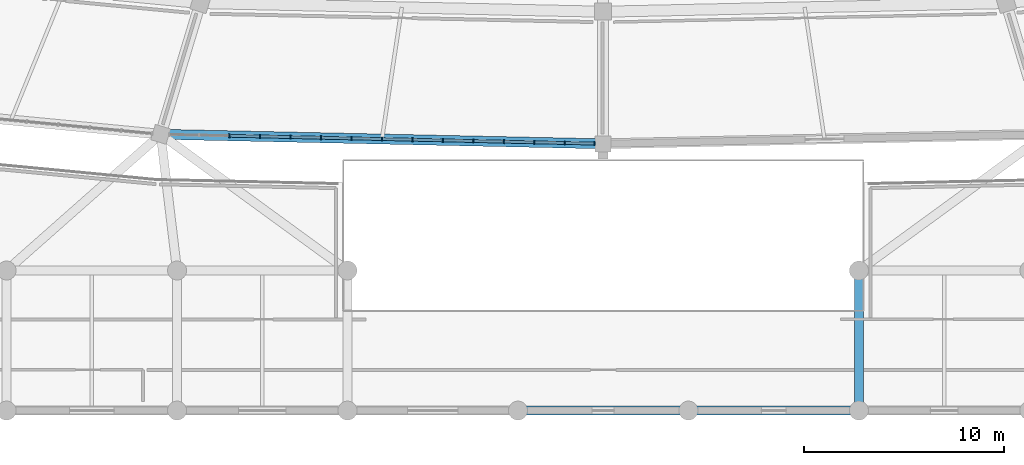
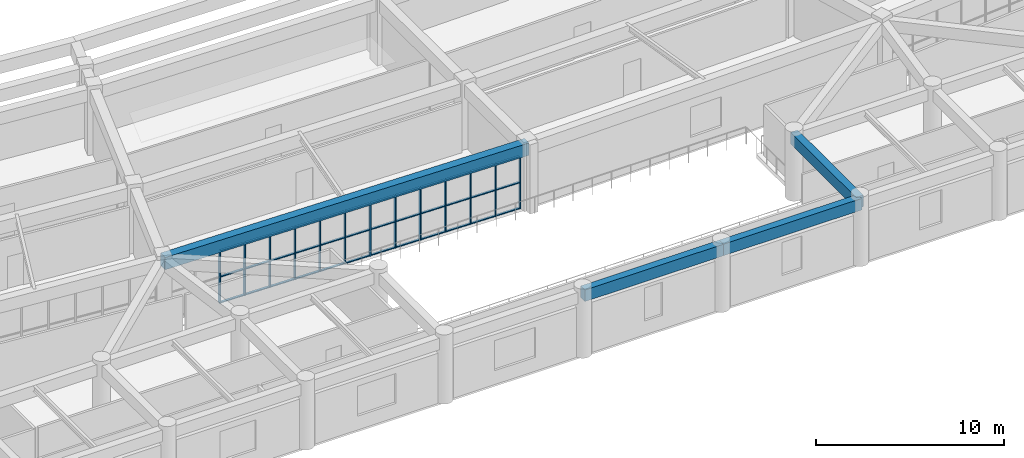
# One storey, part 23 of 145: 49 members, 4 beams, 1 element without a shape of its own.
"""IFC4 building model written with IfcOpenShell, lengths in metres."""

from ifc_helpers import new_model, si_unit, direction, frame, origin, origin_2d, place, context, subcontext, project, spatial, rectangle, extrude, material, layer, layer_set, material_profile, profile_set, type_object, element, aggregate, save


model = new_model("IFC4")

# Units and contexts
model_context = context("Model", 3, precision=1e-05, world=origin(), true_north=direction((0.0, 1.0)))
body_context = subcontext(model_context, "Body", "Model", "MODEL_VIEW")
ifc_project = project(units=[si_unit("LENGTHUNIT", "METRE"), si_unit("AREAUNIT", "SQUARE_METRE"), si_unit("VOLUMEUNIT", "CUBIC_METRE"), si_unit("PLANEANGLEUNIT", "RADIAN"), si_unit("MASSUNIT", "GRAM", prefix="KILO")], contexts=[model_context])

# Site, building, storey
site_placement = place(None, origin())
site = spatial("IfcSite", under=ifc_project, at=site_placement, CompositionType="ELEMENT")
building_placement = place(site_placement, origin())
building = spatial("IfcBuilding", under=site, at=building_placement, Name="Mphavela Belvedere Stadium", CompositionType="ELEMENT")
storey_placement = place(building_placement, frame((0.0, 0.0, 10.199951171875)))
storey = spatial("IfcBuildingStorey", under=building, at=storey_placement, Name="L02", CompositionType="ELEMENT", Elevation=10.199951171875)

# Beams
ifc_material_1 = material(Name="Concrete C40/50", Category="concrete")
ifc_material_profile_1 = material_profile(ifc_material_1, rectangle(XDim=0.449951171875, YDim=0.75, at=origin_2d()), Name="RC 450x750")
ifc_profile_set_1 = profile_set([ifc_material_profile_1], Name="Concrete C40/50")
beam_type_1 = type_object("IfcBeamType", Name="BM-RC450x750", PredefinedType="BEAM", material=ifc_profile_set_1)
beam_1_placement = place(storey_placement, frame((110.740966796875, 0.0, 3.864990234375), z_axis=(1.0, 0.0, 0.0), x_axis=(0.0, 1.0, 0.0)))
element("IfcBeam", 1, at=beam_1_placement, inside=storey, type_object=beam_type_1, Name="South Axial Triumphal Peristyle Portico entablature beam X L02 14-1", PredefinedType="BEAM", context=body_context, shape_type="SweptSolid", body=[
    extrude(rectangle(XDim=0.449951171875, YDim=0.75, at=origin_2d()), origin(), (0.0, 0.0, 1.0), 8.51806640625),
])
beam_2_placement = place(storey_placement, frame((119.259033203125, 0.0, 3.864990234375), z_axis=(1.0, 0.0, 0.0), x_axis=(0.0, 1.0, 0.0)))
element("IfcBeam", 2, at=beam_2_placement, inside=storey, type_object=beam_type_1, Name="South Axial Triumphal Peristyle Portico entablature beam X L02 15-1", PredefinedType="BEAM", context=body_context, shape_type="SweptSolid", body=[
    extrude(rectangle(XDim=0.449951171875, YDim=0.75, at=origin_2d()), origin(), (0.0, 0.0, 1.0), 8.51904296875),
])
beam_3_placement = place(storey_placement, frame((127.778076171875, 0.0, 3.864990234375), z_axis=(0.0, 1.0, 0.0), x_axis=(-1.0, 0.0, 0.0)))
element("IfcBeam", 3, at=beam_3_placement, inside=storey, type_object=beam_type_1, Name="South Axial Triumphal Peristyle Portico entablature beam Y L02 16-1", PredefinedType="BEAM", context=body_context, shape_type="SweptSolid", body=[
    extrude(rectangle(XDim=0.449951171875, YDim=0.75, at=origin_2d()), origin(), (0.0, 0.0, 1.0), 7.0),
])
ifc_material_2 = material(Name="Concrete C40/50", Category="concrete")
ifc_material_profile_2 = material_profile(ifc_material_2, rectangle(XDim=0.5, YDim=0.800048828125, at=origin_2d()), Name="RC 500x800")
ifc_profile_set_2 = profile_set([ifc_material_profile_2], Name="Concrete C40/50")
beam_type_2 = type_object("IfcBeamType", Name="BM-SPANDREL-800", PredefinedType="SPANDREL", material=ifc_profile_set_2)
beam_4_placement = place(storey_placement, frame((92.885498046875, 13.80615234375, 3.85009765625), z_axis=(0.999768359718, -0.021522706765, 0.0), x_axis=(0.021522706765, 0.999768359718, 0.0)))
element("IfcBeam", 4, at=beam_4_placement, inside=storey, type_object=beam_type_2, Name="Circumferential girder L02 R4-36", PredefinedType="SPANDREL", context=body_context, shape_type="SweptSolid", body=[
    extrude(rectangle(XDim=0.5, YDim=0.800048828125, at=origin_2d()), origin(), (0.0, 0.0, 1.0), 22.11962890625),
])

# Curtain wall, members
ifc_material_3 = material(Name="Anodised bronze unitised curtain wall framing")
ifc_layer = layer(ifc_material_3, 0.195068359375)
ifc_layer_set = layer_set([ifc_layer], Name="Anodised bronze unitised curtain wall framing")
curtain_wall_type = type_object("IfcCurtainWallType", Name="CW-UNIT-04", PredefinedType="USERDEFINED", material=ifc_layer_set)
curtain_wall_placement = place(storey_placement, origin())
curtain_wall = element("IfcCurtainWall", 5, at=curtain_wall_placement, inside=storey, type_object=curtain_wall_type, Name="Belvedere colonnade curtain wall L02-36", ObjectType="UNITISED CURTAIN WALL", PredefinedType="USERDEFINED")
ifc_material_4 = material(Name="Anodised bronze extruded aluminium", Category="aluminium")
ifc_material_profile_3 = material_profile(ifc_material_4, rectangle(XDim=0.179931640625, YDim=0.06494140625, at=origin_2d()), Name="CW-MUL 180x65")
ifc_profile_set_3 = profile_set([ifc_material_profile_3], Name="Anodised bronze extruded aluminium")
member_type_1 = type_object("IfcMemberType", Name="CWM-180x65", PredefinedType="MULLION", material=ifc_profile_set_3)
member_1_placement = place(storey_placement, frame((96.328857421875, 13.73193359375, 0.0), z_axis=(0.0, 0.0, 1.0), x_axis=(0.021525304021, 0.999768303802, 0.0)))
member_1 = element("IfcMember", 6, at=member_1_placement, type_object=member_type_1, Name="CW-04 mullion 3", PredefinedType="MULLION", context=body_context, shape_type="SweptSolid", body=[
    extrude(rectangle(XDim=0.179931640625, YDim=0.06494140625, at=origin_2d()), origin(), (0.0, 0.0, 1.0), 3.420166015625),
])
member_2_placement = place(storey_placement, frame((97.8515625, 13.69921875, 0.0), z_axis=(0.0, 0.0, 1.0), x_axis=(0.021525304021, 0.999768303802, 0.0)))
member_2 = element("IfcMember", 7, at=member_2_placement, type_object=member_type_1, Name="CW-04 mullion 4", PredefinedType="MULLION", context=body_context, shape_type="SweptSolid", body=[
    extrude(rectangle(XDim=0.179931640625, YDim=0.06494140625, at=origin_2d()), origin(), (0.0, 0.0, 1.0), 3.420166015625),
])
member_3_placement = place(storey_placement, frame((99.374267578125, 13.66650390625, 0.0), z_axis=(0.0, 0.0, 1.0), x_axis=(0.021525304021, 0.999768303802, 0.0)))
member_3 = element("IfcMember", 8, at=member_3_placement, type_object=member_type_1, Name="CW-04 mullion 5", PredefinedType="MULLION", context=body_context, shape_type="SweptSolid", body=[
    extrude(rectangle(XDim=0.179931640625, YDim=0.06494140625, at=origin_2d()), origin(), (0.0, 0.0, 1.0), 3.420166015625),
])
member_4_placement = place(storey_placement, frame((100.897216796875, 13.6337890625, 0.0), z_axis=(0.0, 0.0, 1.0), x_axis=(0.021525304021, 0.999768303802, 0.0)))
member_4 = element("IfcMember", 9, at=member_4_placement, type_object=member_type_1, Name="CW-04 mullion 6", PredefinedType="MULLION", context=body_context, shape_type="SweptSolid", body=[
    extrude(rectangle(XDim=0.179931640625, YDim=0.06494140625, at=origin_2d()), origin(), (0.0, 0.0, 1.0), 3.420166015625),
])
member_5_placement = place(storey_placement, frame((102.419921875, 13.600830078125, 0.0), z_axis=(0.0, 0.0, 1.0), x_axis=(0.021525304021, 0.999768303802, 0.0)))
member_5 = element("IfcMember", 10, at=member_5_placement, type_object=member_type_1, Name="CW-04 mullion 7", PredefinedType="MULLION", context=body_context, shape_type="SweptSolid", body=[
    extrude(rectangle(XDim=0.179931640625, YDim=0.06494140625, at=origin_2d()), origin(), (0.0, 0.0, 1.0), 3.420166015625),
])
member_6_placement = place(storey_placement, frame((103.942626953125, 13.568115234375, 0.0), z_axis=(0.0, 0.0, 1.0), x_axis=(0.021525304021, 0.999768303802, 0.0)))
member_6 = element("IfcMember", 11, at=member_6_placement, type_object=member_type_1, Name="CW-04 mullion 8", PredefinedType="MULLION", context=body_context, shape_type="SweptSolid", body=[
    extrude(rectangle(XDim=0.179931640625, YDim=0.06494140625, at=origin_2d()), origin(), (0.0, 0.0, 1.0), 3.420166015625),
])
member_7_placement = place(storey_placement, frame((105.465576171875, 13.535400390625, 0.0), z_axis=(0.0, 0.0, 1.0), x_axis=(0.021525304021, 0.999768303802, 0.0)))
member_7 = element("IfcMember", 12, at=member_7_placement, type_object=member_type_1, Name="CW-04 mullion 9", PredefinedType="MULLION", context=body_context, shape_type="SweptSolid", body=[
    extrude(rectangle(XDim=0.179931640625, YDim=0.06494140625, at=origin_2d()), origin(), (0.0, 0.0, 1.0), 3.420166015625),
])
member_8_placement = place(storey_placement, frame((106.98828125, 13.50244140625, 0.0), z_axis=(0.0, 0.0, 1.0), x_axis=(0.021525304021, 0.999768303802, 0.0)))
member_8 = element("IfcMember", 13, at=member_8_placement, type_object=member_type_1, Name="CW-04 mullion 10", PredefinedType="MULLION", context=body_context, shape_type="SweptSolid", body=[
    extrude(rectangle(XDim=0.179931640625, YDim=0.06494140625, at=origin_2d()), origin(), (0.0, 0.0, 1.0), 3.420166015625),
])
member_9_placement = place(storey_placement, frame((108.510986328125, 13.4697265625, 0.0), z_axis=(0.0, 0.0, 1.0), x_axis=(0.021525304021, 0.999768303802, 0.0)))
member_9 = element("IfcMember", 14, at=member_9_placement, type_object=member_type_1, Name="CW-04 mullion 11", PredefinedType="MULLION", context=body_context, shape_type="SweptSolid", body=[
    extrude(rectangle(XDim=0.179931640625, YDim=0.06494140625, at=origin_2d()), origin(), (0.0, 0.0, 1.0), 3.420166015625),
])
member_10_placement = place(storey_placement, frame((110.03369140625, 13.43701171875, 0.0), z_axis=(0.0, 0.0, 1.0), x_axis=(0.021525304021, 0.999768303802, 0.0)))
member_10 = element("IfcMember", 15, at=member_10_placement, type_object=member_type_1, Name="CW-04 mullion 12", PredefinedType="MULLION", context=body_context, shape_type="SweptSolid", body=[
    extrude(rectangle(XDim=0.179931640625, YDim=0.06494140625, at=origin_2d()), origin(), (0.0, 0.0, 1.0), 3.420166015625),
])
member_11_placement = place(storey_placement, frame((111.556640625, 13.404052734375, 0.0), z_axis=(0.0, 0.0, 1.0), x_axis=(0.021525304021, 0.999768303802, 0.0)))
member_11 = element("IfcMember", 16, at=member_11_placement, type_object=member_type_1, Name="CW-04 mullion 13", PredefinedType="MULLION", context=body_context, shape_type="SweptSolid", body=[
    extrude(rectangle(XDim=0.179931640625, YDim=0.06494140625, at=origin_2d()), origin(), (0.0, 0.0, 1.0), 3.420166015625),
])
member_12_placement = place(storey_placement, frame((113.079345703125, 13.371337890625, 0.0), z_axis=(0.0, 0.0, 1.0), x_axis=(0.021525304021, 0.999768303802, 0.0)))
member_12 = element("IfcMember", 17, at=member_12_placement, type_object=member_type_1, Name="CW-04 mullion 14", PredefinedType="MULLION", context=body_context, shape_type="SweptSolid", body=[
    extrude(rectangle(XDim=0.179931640625, YDim=0.06494140625, at=origin_2d()), origin(), (0.0, 0.0, 1.0), 3.420166015625),
])
member_13_placement = place(storey_placement, frame((114.569580078125, 13.33935546875, 0.0), z_axis=(0.0, 0.0, 1.0), x_axis=(0.021525304021, 0.999768303802, 0.0)))
member_13 = element("IfcMember", 18, at=member_13_placement, type_object=member_type_1, Name="CW-04 mullion 15", PredefinedType="MULLION", context=body_context, shape_type="SweptSolid", body=[
    extrude(rectangle(XDim=0.179931640625, YDim=0.06494140625, at=origin_2d()), origin(), (0.0, 0.0, 1.0), 3.420166015625),
])
ifc_material_5 = material(Name="Anodised bronze extruded aluminium", Category="aluminium")
ifc_material_profile_4 = material_profile(ifc_material_5, rectangle(XDim=0.139892578125, YDim=0.06005859375, at=origin_2d()), Name="CW-TRN 140x60")
ifc_profile_set_4 = profile_set([ifc_material_profile_4], Name="Anodised bronze extruded aluminium")
member_type_2 = type_object("IfcMemberType", Name="CWT-140x60", PredefinedType="USERDEFINED", material=ifc_profile_set_4)
member_14_placement = place(storey_placement, frame((96.361328125, 13.7314453125, 0.030029296875), z_axis=(0.999766706153, -0.021599381191, 0.0), x_axis=(0.021599381191, 0.999766706153, 0.0)))
member_14 = element("IfcMember", 19, at=member_14_placement, type_object=member_type_2, Name="CW-04 transom 3.1", ObjectType="TRANSOM", PredefinedType="USERDEFINED", context=body_context, shape_type="SweptSolid", body=[
    extrude(rectangle(XDim=0.139892578125, YDim=0.06005859375, at=origin_2d()), origin(), (0.0, 0.0, 1.0), 1.4580078125),
])
member_15_placement = place(storey_placement, frame((96.361328125, 13.7314453125, 1.7099609375), z_axis=(0.999766706153, -0.021599381191, 0.0), x_axis=(0.021599381191, 0.999766706153, 0.0)))
member_15 = element("IfcMember", 20, at=member_15_placement, type_object=member_type_2, Name="CW-04 transom 3.2", ObjectType="TRANSOM", PredefinedType="USERDEFINED", context=body_context, shape_type="SweptSolid", body=[
    extrude(rectangle(XDim=0.139892578125, YDim=0.06005859375, at=origin_2d()), origin(), (0.0, 0.0, 1.0), 1.4580078125),
])
member_16_placement = place(storey_placement, frame((96.361328125, 13.7314453125, 3.39013671875), z_axis=(0.999766706153, -0.021599381191, 0.0), x_axis=(0.021599381191, 0.999766706153, 0.0)))
member_16 = element("IfcMember", 21, at=member_16_placement, type_object=member_type_2, Name="CW-04 transom 3.3", ObjectType="TRANSOM", PredefinedType="USERDEFINED", context=body_context, shape_type="SweptSolid", body=[
    extrude(rectangle(XDim=0.139892578125, YDim=0.06005859375, at=origin_2d()), origin(), (0.0, 0.0, 1.0), 1.4580078125),
])
member_17_placement = place(storey_placement, frame((97.884033203125, 13.698486328125, 0.030029296875), z_axis=(0.999770307851, -0.021432021337, 0.0), x_axis=(0.021432021337, 0.999770307851, 0.0)))
member_17 = element("IfcMember", 22, at=member_17_placement, type_object=member_type_2, Name="CW-04 transom 4.1", ObjectType="TRANSOM", PredefinedType="USERDEFINED", context=body_context, shape_type="SweptSolid", body=[
    extrude(rectangle(XDim=0.139892578125, YDim=0.06005859375, at=origin_2d()), origin(), (0.0, 0.0, 1.0), 1.4580078125),
])
member_18_placement = place(storey_placement, frame((97.884033203125, 13.698486328125, 1.7099609375), z_axis=(0.999770307851, -0.021432021337, 0.0), x_axis=(0.021432021337, 0.999770307851, 0.0)))
member_18 = element("IfcMember", 23, at=member_18_placement, type_object=member_type_2, Name="CW-04 transom 4.2", ObjectType="TRANSOM", PredefinedType="USERDEFINED", context=body_context, shape_type="SweptSolid", body=[
    extrude(rectangle(XDim=0.139892578125, YDim=0.06005859375, at=origin_2d()), origin(), (0.0, 0.0, 1.0), 1.4580078125),
])
member_19_placement = place(storey_placement, frame((97.884033203125, 13.698486328125, 3.39013671875), z_axis=(0.999770307851, -0.021432021337, 0.0), x_axis=(0.021432021337, 0.999770307851, 0.0)))
member_19 = element("IfcMember", 24, at=member_19_placement, type_object=member_type_2, Name="CW-04 transom 4.3", ObjectType="TRANSOM", PredefinedType="USERDEFINED", context=body_context, shape_type="SweptSolid", body=[
    extrude(rectangle(XDim=0.139892578125, YDim=0.06005859375, at=origin_2d()), origin(), (0.0, 0.0, 1.0), 1.4580078125),
])
member_20_placement = place(storey_placement, frame((99.406982421875, 13.665771484375, 0.030029296875), z_axis=(0.999766706153, -0.021599381191, 0.0), x_axis=(0.021599381191, 0.999766706153, 0.0)))
member_20 = element("IfcMember", 25, at=member_20_placement, type_object=member_type_2, Name="CW-04 transom 5.1", ObjectType="TRANSOM", PredefinedType="USERDEFINED", context=body_context, shape_type="SweptSolid", body=[
    extrude(rectangle(XDim=0.139892578125, YDim=0.06005859375, at=origin_2d()), origin(), (0.0, 0.0, 1.0), 1.4580078125),
])
member_21_placement = place(storey_placement, frame((99.406982421875, 13.665771484375, 1.7099609375), z_axis=(0.999766706153, -0.021599381191, 0.0), x_axis=(0.021599381191, 0.999766706153, 0.0)))
member_21 = element("IfcMember", 26, at=member_21_placement, type_object=member_type_2, Name="CW-04 transom 5.2", ObjectType="TRANSOM", PredefinedType="USERDEFINED", context=body_context, shape_type="SweptSolid", body=[
    extrude(rectangle(XDim=0.139892578125, YDim=0.06005859375, at=origin_2d()), origin(), (0.0, 0.0, 1.0), 1.4580078125),
])
member_22_placement = place(storey_placement, frame((99.406982421875, 13.665771484375, 3.39013671875), z_axis=(0.999766706153, -0.021599381191, 0.0), x_axis=(0.021599381191, 0.999766706153, 0.0)))
member_22 = element("IfcMember", 27, at=member_22_placement, type_object=member_type_2, Name="CW-04 transom 5.3", ObjectType="TRANSOM", PredefinedType="USERDEFINED", context=body_context, shape_type="SweptSolid", body=[
    extrude(rectangle(XDim=0.139892578125, YDim=0.06005859375, at=origin_2d()), origin(), (0.0, 0.0, 1.0), 1.4580078125),
])
member_23_placement = place(storey_placement, frame((100.9296875, 13.633056640625, 0.030029296875), z_axis=(0.999766706153, -0.021599381191, 0.0), x_axis=(0.021599381191, 0.999766706153, 0.0)))
member_23 = element("IfcMember", 28, at=member_23_placement, type_object=member_type_2, Name="CW-04 transom 6.1", ObjectType="TRANSOM", PredefinedType="USERDEFINED", context=body_context, shape_type="SweptSolid", body=[
    extrude(rectangle(XDim=0.139892578125, YDim=0.06005859375, at=origin_2d()), origin(), (0.0, 0.0, 1.0), 1.4580078125),
])
member_24_placement = place(storey_placement, frame((100.9296875, 13.633056640625, 1.7099609375), z_axis=(0.999766706153, -0.021599381191, 0.0), x_axis=(0.021599381191, 0.999766706153, 0.0)))
member_24 = element("IfcMember", 29, at=member_24_placement, type_object=member_type_2, Name="CW-04 transom 6.2", ObjectType="TRANSOM", PredefinedType="USERDEFINED", context=body_context, shape_type="SweptSolid", body=[
    extrude(rectangle(XDim=0.139892578125, YDim=0.06005859375, at=origin_2d()), origin(), (0.0, 0.0, 1.0), 1.4580078125),
])
member_25_placement = place(storey_placement, frame((100.9296875, 13.633056640625, 3.39013671875), z_axis=(0.999766706153, -0.021599381191, 0.0), x_axis=(0.021599381191, 0.999766706153, 0.0)))
member_25 = element("IfcMember", 30, at=member_25_placement, type_object=member_type_2, Name="CW-04 transom 6.3", ObjectType="TRANSOM", PredefinedType="USERDEFINED", context=body_context, shape_type="SweptSolid", body=[
    extrude(rectangle(XDim=0.139892578125, YDim=0.06005859375, at=origin_2d()), origin(), (0.0, 0.0, 1.0), 1.4580078125),
])
member_26_placement = place(storey_placement, frame((102.452392578125, 13.60009765625, 0.030029296875), z_axis=(0.999770307851, -0.021432021337, 0.0), x_axis=(0.021432021337, 0.999770307851, 0.0)))
member_26 = element("IfcMember", 31, at=member_26_placement, type_object=member_type_2, Name="CW-04 transom 7.1", ObjectType="TRANSOM", PredefinedType="USERDEFINED", context=body_context, shape_type="SweptSolid", body=[
    extrude(rectangle(XDim=0.139892578125, YDim=0.06005859375, at=origin_2d()), origin(), (0.0, 0.0, 1.0), 1.4580078125),
])
member_27_placement = place(storey_placement, frame((102.452392578125, 13.60009765625, 1.7099609375), z_axis=(0.999770307851, -0.021432021337, 0.0), x_axis=(0.021432021337, 0.999770307851, 0.0)))
member_27 = element("IfcMember", 32, at=member_27_placement, type_object=member_type_2, Name="CW-04 transom 7.2", ObjectType="TRANSOM", PredefinedType="USERDEFINED", context=body_context, shape_type="SweptSolid", body=[
    extrude(rectangle(XDim=0.139892578125, YDim=0.06005859375, at=origin_2d()), origin(), (0.0, 0.0, 1.0), 1.4580078125),
])
member_28_placement = place(storey_placement, frame((102.452392578125, 13.60009765625, 3.39013671875), z_axis=(0.999770307851, -0.021432021337, 0.0), x_axis=(0.021432021337, 0.999770307851, 0.0)))
member_28 = element("IfcMember", 33, at=member_28_placement, type_object=member_type_2, Name="CW-04 transom 7.3", ObjectType="TRANSOM", PredefinedType="USERDEFINED", context=body_context, shape_type="SweptSolid", body=[
    extrude(rectangle(XDim=0.139892578125, YDim=0.06005859375, at=origin_2d()), origin(), (0.0, 0.0, 1.0), 1.4580078125),
])
member_29_placement = place(storey_placement, frame((103.97509765625, 13.5673828125, 0.030029296875), z_axis=(0.999770307851, -0.021432021337, 0.0), x_axis=(0.021432021337, 0.999770307851, 0.0)))
member_29 = element("IfcMember", 34, at=member_29_placement, type_object=member_type_2, Name="CW-04 transom 8.1", ObjectType="TRANSOM", PredefinedType="USERDEFINED", context=body_context, shape_type="SweptSolid", body=[
    extrude(rectangle(XDim=0.139892578125, YDim=0.06005859375, at=origin_2d()), origin(), (0.0, 0.0, 1.0), 1.4580078125),
])
member_30_placement = place(storey_placement, frame((103.97509765625, 13.5673828125, 1.7099609375), z_axis=(0.999770307851, -0.021432021337, 0.0), x_axis=(0.021432021337, 0.999770307851, 0.0)))
member_30 = element("IfcMember", 35, at=member_30_placement, type_object=member_type_2, Name="CW-04 transom 8.2", ObjectType="TRANSOM", PredefinedType="USERDEFINED", context=body_context, shape_type="SweptSolid", body=[
    extrude(rectangle(XDim=0.139892578125, YDim=0.06005859375, at=origin_2d()), origin(), (0.0, 0.0, 1.0), 1.4580078125),
])
member_31_placement = place(storey_placement, frame((103.97509765625, 13.5673828125, 3.39013671875), z_axis=(0.999770307851, -0.021432021337, 0.0), x_axis=(0.021432021337, 0.999770307851, 0.0)))
member_31 = element("IfcMember", 36, at=member_31_placement, type_object=member_type_2, Name="CW-04 transom 8.3", ObjectType="TRANSOM", PredefinedType="USERDEFINED", context=body_context, shape_type="SweptSolid", body=[
    extrude(rectangle(XDim=0.139892578125, YDim=0.06005859375, at=origin_2d()), origin(), (0.0, 0.0, 1.0), 1.4580078125),
])
member_32_placement = place(storey_placement, frame((105.498046875, 13.53466796875, 0.030029296875), z_axis=(0.999766706153, -0.021599381191, 0.0), x_axis=(0.021599381191, 0.999766706153, 0.0)))
member_32 = element("IfcMember", 37, at=member_32_placement, type_object=member_type_2, Name="CW-04 transom 9.1", ObjectType="TRANSOM", PredefinedType="USERDEFINED", context=body_context, shape_type="SweptSolid", body=[
    extrude(rectangle(XDim=0.139892578125, YDim=0.06005859375, at=origin_2d()), origin(), (0.0, 0.0, 1.0), 1.4580078125),
])
member_33_placement = place(storey_placement, frame((105.498046875, 13.53466796875, 1.7099609375), z_axis=(0.999766706153, -0.021599381191, 0.0), x_axis=(0.021599381191, 0.999766706153, 0.0)))
member_33 = element("IfcMember", 38, at=member_33_placement, type_object=member_type_2, Name="CW-04 transom 9.2", ObjectType="TRANSOM", PredefinedType="USERDEFINED", context=body_context, shape_type="SweptSolid", body=[
    extrude(rectangle(XDim=0.139892578125, YDim=0.06005859375, at=origin_2d()), origin(), (0.0, 0.0, 1.0), 1.4580078125),
])
member_34_placement = place(storey_placement, frame((105.498046875, 13.53466796875, 3.39013671875), z_axis=(0.999766706153, -0.021599381191, 0.0), x_axis=(0.021599381191, 0.999766706153, 0.0)))
member_34 = element("IfcMember", 39, at=member_34_placement, type_object=member_type_2, Name="CW-04 transom 9.3", ObjectType="TRANSOM", PredefinedType="USERDEFINED", context=body_context, shape_type="SweptSolid", body=[
    extrude(rectangle(XDim=0.139892578125, YDim=0.06005859375, at=origin_2d()), origin(), (0.0, 0.0, 1.0), 1.4580078125),
])
member_35_placement = place(storey_placement, frame((107.020751953125, 13.501708984375, 0.030029296875), z_axis=(0.999770307851, -0.021432021337, 0.0), x_axis=(0.021432021337, 0.999770307851, 0.0)))
member_35 = element("IfcMember", 40, at=member_35_placement, type_object=member_type_2, Name="CW-04 transom 10.1", ObjectType="TRANSOM", PredefinedType="USERDEFINED", context=body_context, shape_type="SweptSolid", body=[
    extrude(rectangle(XDim=0.139892578125, YDim=0.06005859375, at=origin_2d()), origin(), (0.0, 0.0, 1.0), 1.4580078125),
])
member_36_placement = place(storey_placement, frame((107.020751953125, 13.501708984375, 1.7099609375), z_axis=(0.999770307851, -0.021432021337, 0.0), x_axis=(0.021432021337, 0.999770307851, 0.0)))
member_36 = element("IfcMember", 41, at=member_36_placement, type_object=member_type_2, Name="CW-04 transom 10.2", ObjectType="TRANSOM", PredefinedType="USERDEFINED", context=body_context, shape_type="SweptSolid", body=[
    extrude(rectangle(XDim=0.139892578125, YDim=0.06005859375, at=origin_2d()), origin(), (0.0, 0.0, 1.0), 1.4580078125),
])
member_37_placement = place(storey_placement, frame((107.020751953125, 13.501708984375, 3.39013671875), z_axis=(0.999770307851, -0.021432021337, 0.0), x_axis=(0.021432021337, 0.999770307851, 0.0)))
member_37 = element("IfcMember", 42, at=member_37_placement, type_object=member_type_2, Name="CW-04 transom 10.3", ObjectType="TRANSOM", PredefinedType="USERDEFINED", context=body_context, shape_type="SweptSolid", body=[
    extrude(rectangle(XDim=0.139892578125, YDim=0.06005859375, at=origin_2d()), origin(), (0.0, 0.0, 1.0), 1.4580078125),
])
member_38_placement = place(storey_placement, frame((108.54345703125, 13.468994140625, 0.030029296875), z_axis=(0.999770307851, -0.021432021337, 0.0), x_axis=(0.021432021337, 0.999770307851, 0.0)))
member_38 = element("IfcMember", 43, at=member_38_placement, type_object=member_type_2, Name="CW-04 transom 11.1", ObjectType="TRANSOM", PredefinedType="USERDEFINED", context=body_context, shape_type="SweptSolid", body=[
    extrude(rectangle(XDim=0.139892578125, YDim=0.06005859375, at=origin_2d()), origin(), (0.0, 0.0, 1.0), 1.4580078125),
])
member_39_placement = place(storey_placement, frame((108.54345703125, 13.468994140625, 1.7099609375), z_axis=(0.999770307851, -0.021432021337, 0.0), x_axis=(0.021432021337, 0.999770307851, 0.0)))
member_39 = element("IfcMember", 44, at=member_39_placement, type_object=member_type_2, Name="CW-04 transom 11.2", ObjectType="TRANSOM", PredefinedType="USERDEFINED", context=body_context, shape_type="SweptSolid", body=[
    extrude(rectangle(XDim=0.139892578125, YDim=0.06005859375, at=origin_2d()), origin(), (0.0, 0.0, 1.0), 1.4580078125),
])
member_40_placement = place(storey_placement, frame((108.54345703125, 13.468994140625, 3.39013671875), z_axis=(0.999770307851, -0.021432021337, 0.0), x_axis=(0.021432021337, 0.999770307851, 0.0)))
member_40 = element("IfcMember", 45, at=member_40_placement, type_object=member_type_2, Name="CW-04 transom 11.3", ObjectType="TRANSOM", PredefinedType="USERDEFINED", context=body_context, shape_type="SweptSolid", body=[
    extrude(rectangle(XDim=0.139892578125, YDim=0.06005859375, at=origin_2d()), origin(), (0.0, 0.0, 1.0), 1.4580078125),
])
member_41_placement = place(storey_placement, frame((110.066162109375, 13.436279296875, 0.030029296875), z_axis=(0.999766784248, -0.021595766103, 0.0), x_axis=(0.021595766103, 0.999766784248, 0.0)))
member_41 = element("IfcMember", 46, at=member_41_placement, type_object=member_type_2, Name="CW-04 transom 12.1", ObjectType="TRANSOM", PredefinedType="USERDEFINED", context=body_context, shape_type="SweptSolid", body=[
    extrude(rectangle(XDim=0.139892578125, YDim=0.06005859375, at=origin_2d()), origin(), (0.0, 0.0, 1.0), 1.458251953125),
])
member_42_placement = place(storey_placement, frame((110.066162109375, 13.436279296875, 1.7099609375), z_axis=(0.999766784248, -0.021595766103, 0.0), x_axis=(0.021595766103, 0.999766784248, 0.0)))
member_42 = element("IfcMember", 47, at=member_42_placement, type_object=member_type_2, Name="CW-04 transom 12.2", ObjectType="TRANSOM", PredefinedType="USERDEFINED", context=body_context, shape_type="SweptSolid", body=[
    extrude(rectangle(XDim=0.139892578125, YDim=0.06005859375, at=origin_2d()), origin(), (0.0, 0.0, 1.0), 1.458251953125),
])
member_43_placement = place(storey_placement, frame((110.066162109375, 13.436279296875, 3.39013671875), z_axis=(0.999766784248, -0.021595766103, 0.0), x_axis=(0.021595766103, 0.999766784248, 0.0)))
member_43 = element("IfcMember", 48, at=member_43_placement, type_object=member_type_2, Name="CW-04 transom 12.3", ObjectType="TRANSOM", PredefinedType="USERDEFINED", context=body_context, shape_type="SweptSolid", body=[
    extrude(rectangle(XDim=0.139892578125, YDim=0.06005859375, at=origin_2d()), origin(), (0.0, 0.0, 1.0), 1.458251953125),
])
member_44_placement = place(storey_placement, frame((111.589111328125, 13.403564453125, 0.030029296875), z_axis=(0.999766706153, -0.021599381191, 0.0), x_axis=(0.021599381191, 0.999766706153, 0.0)))
member_44 = element("IfcMember", 49, at=member_44_placement, type_object=member_type_2, Name="CW-04 transom 13.1", ObjectType="TRANSOM", PredefinedType="USERDEFINED", context=body_context, shape_type="SweptSolid", body=[
    extrude(rectangle(XDim=0.139892578125, YDim=0.06005859375, at=origin_2d()), origin(), (0.0, 0.0, 1.0), 1.4580078125),
])
member_45_placement = place(storey_placement, frame((111.589111328125, 13.403564453125, 1.7099609375), z_axis=(0.999766706153, -0.021599381191, 0.0), x_axis=(0.021599381191, 0.999766706153, 0.0)))
member_45 = element("IfcMember", 50, at=member_45_placement, type_object=member_type_2, Name="CW-04 transom 13.2", ObjectType="TRANSOM", PredefinedType="USERDEFINED", context=body_context, shape_type="SweptSolid", body=[
    extrude(rectangle(XDim=0.139892578125, YDim=0.06005859375, at=origin_2d()), origin(), (0.0, 0.0, 1.0), 1.4580078125),
])
member_46_placement = place(storey_placement, frame((111.589111328125, 13.403564453125, 3.39013671875), z_axis=(0.999766706153, -0.021599381191, 0.0), x_axis=(0.021599381191, 0.999766706153, 0.0)))
member_46 = element("IfcMember", 51, at=member_46_placement, type_object=member_type_2, Name="CW-04 transom 13.3", ObjectType="TRANSOM", PredefinedType="USERDEFINED", context=body_context, shape_type="SweptSolid", body=[
    extrude(rectangle(XDim=0.139892578125, YDim=0.06005859375, at=origin_2d()), origin(), (0.0, 0.0, 1.0), 1.4580078125),
])
member_47_placement = place(storey_placement, frame((113.11181640625, 13.37060546875, 0.030029296875), z_axis=(0.999770853856, -0.021406535925, 0.0), x_axis=(0.021406535925, 0.999770853856, 0.0)))
member_47 = element("IfcMember", 52, at=member_47_placement, type_object=member_type_2, Name="CW-04 transom 14.1", ObjectType="TRANSOM", PredefinedType="USERDEFINED", context=body_context, shape_type="SweptSolid", body=[
    extrude(rectangle(XDim=0.139892578125, YDim=0.06005859375, at=origin_2d()), origin(), (0.0, 0.0, 1.0), 1.425537109375),
])
member_48_placement = place(storey_placement, frame((113.11181640625, 13.37060546875, 1.7099609375), z_axis=(0.999770853856, -0.021406535925, 0.0), x_axis=(0.021406535925, 0.999770853856, 0.0)))
member_48 = element("IfcMember", 53, at=member_48_placement, type_object=member_type_2, Name="CW-04 transom 14.2", ObjectType="TRANSOM", PredefinedType="USERDEFINED", context=body_context, shape_type="SweptSolid", body=[
    extrude(rectangle(XDim=0.139892578125, YDim=0.06005859375, at=origin_2d()), origin(), (0.0, 0.0, 1.0), 1.425537109375),
])
member_49_placement = place(storey_placement, frame((113.11181640625, 13.37060546875, 3.39013671875), z_axis=(0.999770853856, -0.021406535925, 0.0), x_axis=(0.021406535925, 0.999770853856, 0.0)))
member_49 = element("IfcMember", 54, at=member_49_placement, type_object=member_type_2, Name="CW-04 transom 14.3", ObjectType="TRANSOM", PredefinedType="USERDEFINED", context=body_context, shape_type="SweptSolid", body=[
    extrude(rectangle(XDim=0.139892578125, YDim=0.06005859375, at=origin_2d()), origin(), (0.0, 0.0, 1.0), 1.425537109375),
])
aggregate(curtain_wall, [member_1, member_2, member_3, member_4, member_5, member_6, member_7, member_8, member_9, member_10, member_11, member_12, member_13, member_14, member_15, member_16, member_17, member_18, member_19, member_20, member_21, member_22, member_23, member_24, member_25, member_26, member_27, member_28, member_29, member_30, member_31, member_32, member_33, member_34, member_35, member_36, member_37, member_38, member_39, member_40, member_41, member_42, member_43, member_44, member_45, member_46, member_47, member_48, member_49])

save(model, "model.ifc")
